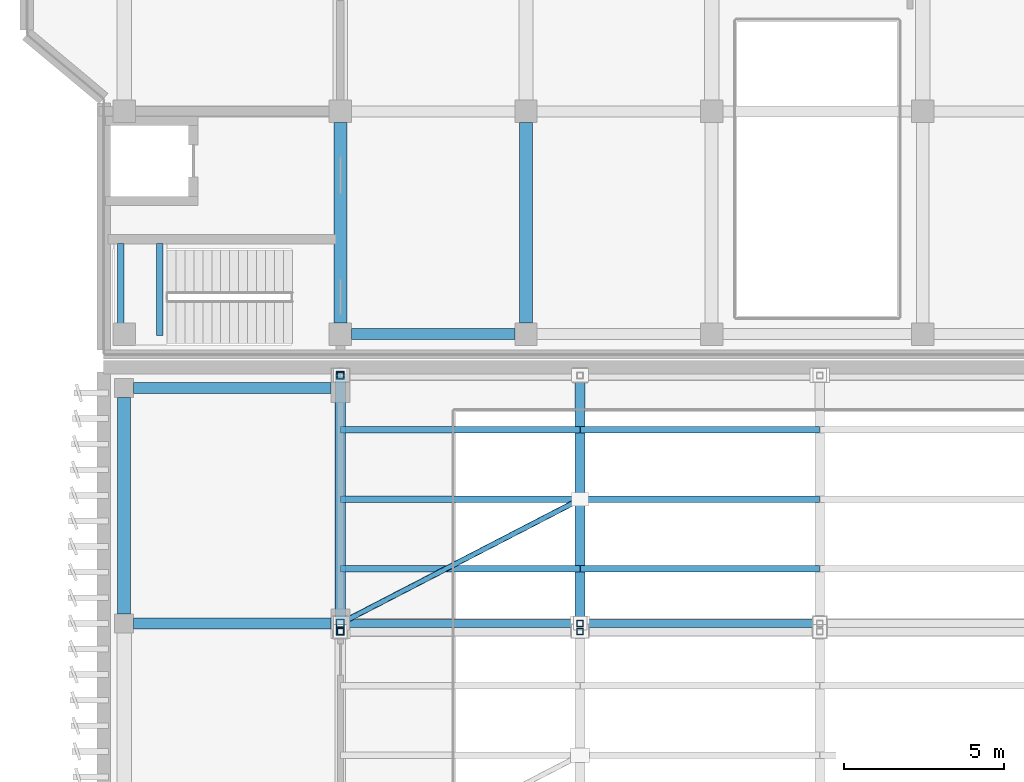
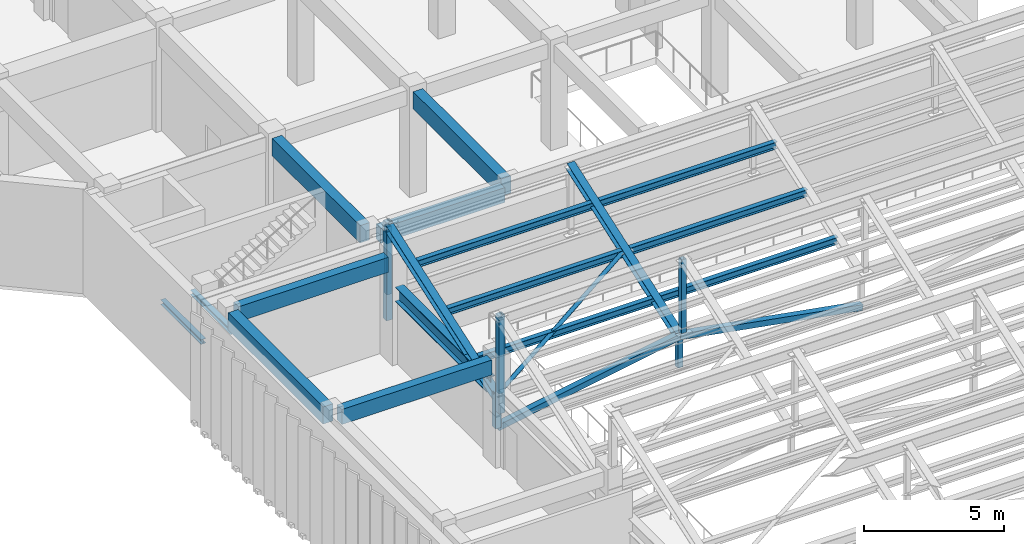
# One storey, part 12 of 76: 18 members, 9 beams.
"""IFC4 building model written with IfcOpenShell, lengths in metres."""

from ifc_helpers import new_model, si_unit, direction, frame, origin, origin_2d, place, context, subcontext, project, spatial, rectangle, hollow_rectangle, hollow_circle, i_section, extrude, material, material_profile, profile_set, type_object, element, save


model = new_model("IFC4")

# Units and contexts
model_context = context("Model", 3, precision=1e-05, world=origin(), true_north=direction((0.0, 1.0)))
body_context = subcontext(model_context, "Body", "Model", "MODEL_VIEW")
ifc_project = project(units=[si_unit("LENGTHUNIT", "METRE"), si_unit("AREAUNIT", "SQUARE_METRE"), si_unit("VOLUMEUNIT", "CUBIC_METRE"), si_unit("PLANEANGLEUNIT", "RADIAN"), si_unit("MASSUNIT", "GRAM", prefix="KILO")], contexts=[model_context])

# Site, building, storey
site_placement = place(None, origin())
site = spatial("IfcSite", under=ifc_project, at=site_placement, CompositionType="ELEMENT")
building_placement = place(site_placement, origin())
building = spatial("IfcBuilding", under=site, at=building_placement, Name="Cinchona Park Media Centre", CompositionType="ELEMENT")
storey_placement = place(building_placement, frame((0.0, 0.0, 15.60009765625)))
storey = spatial("IfcBuildingStorey", under=building, at=storey_placement, Name="L03", CompositionType="ELEMENT", Elevation=15.60009765625)

# Beams
ifc_material_1 = material(Name="Concrete C35/45", Category="concrete")
ifc_material_profile_1 = material_profile(ifc_material_1, rectangle(XDim=0.39990234375, YDim=0.75, at=origin_2d()), Name="RB 400X750")
ifc_profile_set_1 = profile_set([ifc_material_profile_1], Name="Concrete C35/45")
beam_type_1 = type_object("IfcBeamType", Name="BEAM-B01-RB400X750", PredefinedType="BEAM", material=ifc_profile_set_1)
beam_1_placement = place(storey_placement, frame((8.639892578125, 55.89990234375, 4.179931640625), z_axis=(0.0, 1.0, 0.0), x_axis=(-1.0, 0.0, 0.0)))
element("IfcBeam", 1, at=beam_1_placement, inside=storey, type_object=beam_type_1, Name="Girder B01 L03", PredefinedType="BEAM", context=body_context, shape_type="SweptSolid", body=[
    extrude(rectangle(XDim=0.39990234375, YDim=0.75, at=origin_2d()), origin(), (0.0, 0.0, 1.0), 6.760009765625),
])
for number, where, z_axis, x_axis, name in (
    (2, (15.39990234375, 64.989990234375, 4.1748046875), (0.0, 1.0, 0.0), (-1.0, 0.0, 0.0), "Girder B01 L03"),
    (3, (21.199951171875, 64.989990234375, 4.1748046875), (0.0, 1.0, 0.0), (-1.0, 0.0, 0.0), "Girder B01 L03"),
):
    element("IfcBeam", number, at=place(storey_placement, frame(where, z_axis=z_axis, x_axis=x_axis)), inside=storey, type_object=beam_type_1, Name=name, PredefinedType="BEAM", context=body_context, shape_type="SweptSolid", body=[
        extrude(rectangle(XDim=0.39990234375, YDim=0.75, at=origin_2d()), origin(), (0.0, 0.0, 1.0), 6.260009765625),
    ])
ifc_material_2 = material(Name="Concrete C35/45", Category="concrete")
ifc_material_profile_2 = material_profile(ifc_material_2, rectangle(XDim=0.35009765625, YDim=0.64990234375, at=origin_2d()), Name="RB 350X650")
ifc_profile_set_2 = profile_set([ifc_material_profile_2], Name="Concrete C35/45")
beam_type_2 = type_object("IfcBeamType", Name="BEAM-B04-RB350X650", PredefinedType="BEAM", material=ifc_profile_set_2)
for number, where, z_axis, x_axis, name in (
    (4, (8.93994140625, 55.60009765625, 4.22998046875), (1.0, 0.0, 0.0), (0.0, 1.0, 0.0), "Beam B04 L03"),
    (5, (8.93994140625, 62.9599609375, 4.22998046875), (1.0, 0.0, 0.0), (0.0, 1.0, 0.0), "Beam B04 L03"),
):
    element("IfcBeam", number, at=place(storey_placement, frame(where, z_axis=z_axis, x_axis=x_axis)), inside=storey, type_object=beam_type_2, Name=name, PredefinedType="BEAM", context=body_context, shape_type="SweptSolid", body=[
        extrude(rectangle(XDim=0.35009765625, YDim=0.64990234375, at=origin_2d()), origin(), (0.0, 0.0, 1.0), 6.16015625),
    ])
beam_2_placement = place(storey_placement, frame((15.75, 64.639892578125, 4.224853515625), z_axis=(1.0, 0.0, 0.0), x_axis=(0.0, 1.0, 0.0)))
element("IfcBeam", 6, at=beam_2_placement, inside=storey, type_object=beam_type_2, Name="Beam B04 L03", PredefinedType="BEAM", context=body_context, shape_type="SweptSolid", body=[
    extrude(rectangle(XDim=0.35009765625, YDim=0.64990234375, at=origin_2d()), origin(), (0.0, 0.0, 1.0), 5.10009765625),
])
ifc_material_3 = material(Name="Steel S355", Category="steel")
ifc_material_profile_3 = material_profile(ifc_material_3, i_section(OverallWidth=0.3291015625, OverallDepth=0.635009765625, WebThickness=0.017822265625, FlangeThickness=0.031005859375, at=origin_2d()), Name="W610X241")
ifc_profile_set_3 = profile_set([ifc_material_profile_3], Name="Steel S355")
beam_type_3 = type_object("IfcBeamType", Name="BEAM-B05-W610X241", PredefinedType="BEAM", material=ifc_profile_set_3)
beam_3_placement = place(storey_placement, frame((15.39990234375, 56.02001953125, 3.0498046875), z_axis=(0.0, 1.0, 0.0), x_axis=(-1.0, 0.0, 0.0)))
element("IfcBeam", 7, at=beam_3_placement, inside=storey, type_object=beam_type_3, Name="Sawtooth Valley Edge Girder B05 V1", PredefinedType="BEAM", context=body_context, shape_type="SweptSolid", body=[
    extrude(i_section(OverallWidth=0.3291015625, OverallDepth=0.635009765625, WebThickness=0.017822265625, FlangeThickness=0.031005859375, at=origin_2d()), origin(), (0.0, 0.0, 1.0), 6.52001953125),
])
ifc_material_4 = material(Name="Steel S355", Category="steel")
ifc_material_profile_4 = material_profile(ifc_material_4, i_section(OverallWidth=0.202880859375, OverallDepth=0.202880859375, WebThickness=0.007080078125, FlangeThickness=0.010986328125, at=origin_2d()), Name="W200X46")
ifc_profile_set_4 = profile_set([ifc_material_profile_4], Name="Steel S355")
beam_type_4 = type_object("IfcBeamType", Name="BEAM-B10-W200X46", PredefinedType="BEAM", material=ifc_profile_set_4)
for number, where, z_axis, x_axis, name in (
    (8, (8.5400390625, 67.47509765625, 2.093505859375), (0.0, -1.0, 0.0), (1.0, 0.0, 0.0), "Stair Landing Bearer Beam B10 ST3 L03"),
    (9, (9.760009765625, 67.47509765625, 2.093505859375), (0.0, -1.0, 0.0), (1.0, 0.0, 0.0), "Stair Landing Bearer Beam B10 ST3 L03"),
):
    element("IfcBeam", number, at=place(storey_placement, frame(where, z_axis=z_axis, x_axis=x_axis)), inside=storey, type_object=beam_type_4, Name=name, PredefinedType="BEAM", context=body_context, shape_type="SweptSolid", body=[
        extrude(i_section(OverallWidth=0.202880859375, OverallDepth=0.202880859375, WebThickness=0.007080078125, FlangeThickness=0.010986328125, at=origin_2d()), origin(), (0.0, 0.0, 1.0), 2.875),
    ])

# Members
ifc_material_5 = material(Name="Steel S355", Category="steel")
ifc_material_profile_5 = material_profile(ifc_material_5, hollow_circle(Radius=0.084228515625, WallThickness=0.010009765625, at=origin_2d()), Name="168.3X10CHS")
ifc_profile_set_5 = profile_set([ifc_material_profile_5], Name="Steel S355")
member_type_1 = type_object("IfcMemberType", Name="MEMBER-BR03-CHS168.3X10", PredefinedType="BRACE", material=ifc_profile_set_5)
member_1_placement = place(storey_placement, frame((15.39990234375, 55.60009765625, 2.7998046875), z_axis=(0.877007498883, 0.453726100012, 0.158083753343), x_axis=(-0.459504038406, 0.888175680082, 0.0)))
element("IfcMember", 10, at=member_1_placement, inside=storey, type_object=member_type_1, Name="Sawtooth Roof Wind Brace V1 Bay 7", PredefinedType="BRACE", context=body_context, shape_type="SweptSolid", body=[
    extrude(hollow_circle(Radius=0.084228515625, WallThickness=0.010009765625, at=origin_2d()), origin(), (0.0, 0.0, 1.0), 8.540283203125),
])
ifc_material_6 = material(Name="Steel S355", Category="steel")
ifc_material_profile_6 = material_profile(ifc_material_6, i_section(OverallWidth=0.202880859375, OverallDepth=0.302978515625, WebThickness=0.007568359375, FlangeThickness=0.01318359375, at=origin_2d()), Name="W310X60")
ifc_profile_set_6 = profile_set([ifc_material_profile_6], Name="Steel S355")
member_type_2 = type_object("IfcMemberType", Name="MEMBER-PR01-W310X60", PredefinedType="PURLIN", material=ifc_profile_set_6)
member_2_placement = place(storey_placement, frame((15.409912109375, 57.304931640625, 3.3125), z_axis=(1.0, 0.0, 0.0), x_axis=(0.0, 1.0, 0.0)))
element("IfcMember", 11, at=member_2_placement, inside=storey, type_object=member_type_2, Name="Sawtooth Roof Purlin PR01", PredefinedType="PURLIN", context=body_context, shape_type="SweptSolid", body=[
    extrude(i_section(OverallWidth=0.202880859375, OverallDepth=0.302978515625, WebThickness=0.007568359375, FlangeThickness=0.01318359375, at=origin_2d()), origin(), (0.0, 0.0, 1.0), 7.469970703125),
])
member_3_placement = place(storey_placement, frame((22.89990234375, 57.304931640625, 3.3125), z_axis=(1.0, 0.0, 0.0), x_axis=(0.0, 1.0, 0.0)))
element("IfcMember", 12, at=member_3_placement, inside=storey, type_object=member_type_2, Name="Sawtooth Roof Purlin PR01", PredefinedType="PURLIN", context=body_context, shape_type="SweptSolid", body=[
    extrude(i_section(OverallWidth=0.202880859375, OverallDepth=0.302978515625, WebThickness=0.007568359375, FlangeThickness=0.01318359375, at=origin_2d()), origin(), (0.0, 0.0, 1.0), 7.47021484375),
])
member_4_placement = place(storey_placement, frame((15.409912109375, 59.47509765625, 4.068359375), z_axis=(1.0, 0.0, 0.0), x_axis=(0.0, 1.0, 0.0)))
element("IfcMember", 13, at=member_4_placement, inside=storey, type_object=member_type_2, Name="Sawtooth Roof Purlin PR01", PredefinedType="PURLIN", context=body_context, shape_type="SweptSolid", body=[
    extrude(i_section(OverallWidth=0.202880859375, OverallDepth=0.302978515625, WebThickness=0.007568359375, FlangeThickness=0.01318359375, at=origin_2d()), origin(), (0.0, 0.0, 1.0), 7.469970703125),
])
member_5_placement = place(storey_placement, frame((22.89990234375, 59.47509765625, 4.068359375), z_axis=(1.0, 0.0, 0.0), x_axis=(0.0, 1.0, 0.0)))
element("IfcMember", 14, at=member_5_placement, inside=storey, type_object=member_type_2, Name="Sawtooth Roof Purlin PR01", PredefinedType="PURLIN", context=body_context, shape_type="SweptSolid", body=[
    extrude(i_section(OverallWidth=0.202880859375, OverallDepth=0.302978515625, WebThickness=0.007568359375, FlangeThickness=0.01318359375, at=origin_2d()), origin(), (0.0, 0.0, 1.0), 7.47021484375),
])
member_6_placement = place(storey_placement, frame((15.409912109375, 61.64501953125, 4.824462890625), z_axis=(1.0, 0.0, 0.0), x_axis=(0.0, 1.0, 0.0)))
element("IfcMember", 15, at=member_6_placement, inside=storey, type_object=member_type_2, Name="Sawtooth Roof Purlin PR01", PredefinedType="PURLIN", context=body_context, shape_type="SweptSolid", body=[
    extrude(i_section(OverallWidth=0.202880859375, OverallDepth=0.302978515625, WebThickness=0.007568359375, FlangeThickness=0.01318359375, at=origin_2d()), origin(), (0.0, 0.0, 1.0), 7.469970703125),
])
member_7_placement = place(storey_placement, frame((22.89990234375, 61.64501953125, 4.824462890625), z_axis=(1.0, 0.0, 0.0), x_axis=(0.0, 1.0, 0.0)))
element("IfcMember", 16, at=member_7_placement, inside=storey, type_object=member_type_2, Name="Sawtooth Roof Purlin PR01", PredefinedType="PURLIN", context=body_context, shape_type="SweptSolid", body=[
    extrude(i_section(OverallWidth=0.202880859375, OverallDepth=0.302978515625, WebThickness=0.007568359375, FlangeThickness=0.01318359375, at=origin_2d()), origin(), (0.0, 0.0, 1.0), 7.47021484375),
])
ifc_material_7 = material(Name="Steel S355", Category="steel")
ifc_material_profile_7 = material_profile(ifc_material_7, hollow_rectangle(XDim=0.199951171875, YDim=0.199951171875, WallThickness=0.012451171875, at=origin_2d()), Name="200X200X12.5SHS")
ifc_profile_set_7 = profile_set([ifc_material_profile_7], Name="Steel S355")
member_type_3 = type_object("IfcMemberType", Name="MEMBER-TS01-SHS200X200X12.5", PredefinedType="STRUT", material=ifc_profile_set_7)
for number, where, z_axis, x_axis, name in (
    (17, (15.39990234375, 55.35009765625, 3.099853515625), (0.0, 0.0, 1.0), (1.0, 0.0, 0.0), "ROOF TRUSS Monitor Post V1 Bay 6"),
    (18, (22.889892578125, 55.35009765625, 3.099853515625), (0.0, 0.0, 1.0), (1.0, 0.0, 0.0), "ROOF TRUSS Monitor Post V1 Bay 6"),
):
    element("IfcMember", number, at=place(storey_placement, frame(where, z_axis=z_axis, x_axis=x_axis)), inside=storey, type_object=member_type_3, Name=name, PredefinedType="STRUT", context=body_context, shape_type="SweptSolid", body=[
        extrude(hollow_rectangle(XDim=0.199951171875, YDim=0.199951171875, WallThickness=0.012451171875, at=origin_2d()), origin(), (0.0, 0.0, 1.0), 3.199951171875),
    ])
member_8_placement = place(storey_placement, frame((22.889892578125, 55.60009765625, 1.449951171875), z_axis=(0.0, 0.0, 1.0), x_axis=(1.0, 0.0, 0.0)))
element("IfcMember", 19, at=member_8_placement, inside=storey, type_object=member_type_3, Name="ROOF TRUSS Vertical Strut TN1", PredefinedType="STRUT", context=body_context, shape_type="SweptSolid", body=[
    extrude(hollow_rectangle(XDim=0.199951171875, YDim=0.199951171875, WallThickness=0.012451171875, at=origin_2d()), origin(), (0.0, 0.0, 1.0), 1.349853515625),
])
member_9_placement = place(storey_placement, frame((15.39990234375, 63.35009765625, 2.5498046875), z_axis=(0.0, 0.0, 1.0), x_axis=(1.0, 0.0, 0.0)))
element("IfcMember", 20, at=member_9_placement, inside=storey, type_object=member_type_3, Name="ROOF TRUSS Monitor Post V1 Bay 7", PredefinedType="STRUT", context=body_context, shape_type="SweptSolid", body=[
    extrude(hollow_rectangle(XDim=0.199951171875, YDim=0.199951171875, WallThickness=0.012451171875, at=origin_2d()), origin(), (0.0, 0.0, 1.0), 2.9501953125),
])
ifc_material_8 = material(Name="Steel S355", Category="steel")
ifc_material_profile_8 = material_profile(ifc_material_8, hollow_rectangle(XDim=0.25, YDim=0.25, WallThickness=0.01611328125, at=origin_2d()), Name="250X250X16SHS")
ifc_profile_set_8 = profile_set([ifc_material_profile_8], Name="Steel S355")
member_type_4 = type_object("IfcMemberType", Name="MEMBER-TS02-SHS250X250X16", PredefinedType="STRUT", material=ifc_profile_set_8)
member_10_placement = place(storey_placement, frame((15.39990234375, 55.35009765625, 2.25), z_axis=(0.0, 0.0, 1.0), x_axis=(1.0, 0.0, 0.0)))
element("IfcMember", 21, at=member_10_placement, inside=storey, type_object=member_type_4, Name="Sawtooth Bearing Post TS02 V1 B6", PredefinedType="STRUT", context=body_context, shape_type="SweptSolid", body=[
    extrude(hollow_rectangle(XDim=0.25, YDim=0.25, WallThickness=0.01611328125, at=origin_2d()), origin(), (0.0, 0.0, 1.0), 4.239990234375),
])
member_11_placement = place(storey_placement, frame((15.39990234375, 55.60009765625, 1.449951171875), z_axis=(0.0, 0.0, 1.0), x_axis=(1.0, 0.0, 0.0)))
element("IfcMember", 22, at=member_11_placement, inside=storey, type_object=member_type_4, Name="Sawtooth Bearing Post TS02 V1 B7", PredefinedType="STRUT", context=body_context, shape_type="SweptSolid", body=[
    extrude(hollow_rectangle(XDim=0.25, YDim=0.25, WallThickness=0.01611328125, at=origin_2d()), origin(), (0.0, 0.0, 1.0), 1.5400390625),
])
member_12_placement = place(storey_placement, frame((15.39990234375, 63.35009765625, 1.449951171875), z_axis=(0.0, 0.0, 1.0), x_axis=(1.0, 0.0, 0.0)))
element("IfcMember", 23, at=member_12_placement, inside=storey, type_object=member_type_4, Name="Sawtooth Bearing Post TS02 V1 B7", PredefinedType="STRUT", context=body_context, shape_type="SweptSolid", body=[
    extrude(hollow_rectangle(XDim=0.25, YDim=0.25, WallThickness=0.01611328125, at=origin_2d()), origin(), (0.0, 0.0, 1.0), 4.239990234375),
])
for number, where, z_axis, x_axis, name in (
    (24, (15.39990234375, 55.60009765625, 1.449951171875), (0.984145381083, 0.0, 0.177363662832), (0.0, 1.0, 0.0), "ROOF TRUSS Web Diagonal TN1"),
    (25, (22.889892578125, 55.60009765625, 2.7998046875), (0.984145381083, 0.0, -0.177363662832), (0.0, 1.0, 0.0), "ROOF TRUSS Web Diagonal TN2"),
):
    element("IfcMember", number, at=place(storey_placement, frame(where, z_axis=z_axis, x_axis=x_axis)), inside=storey, type_object=member_type_4, Name=name, PredefinedType="STRUT", context=body_context, shape_type="SweptSolid", body=[
        extrude(hollow_rectangle(XDim=0.25, YDim=0.25, WallThickness=0.01611328125, at=origin_2d()), origin(), (0.0, 0.0, 1.0), 7.610595703125),
    ])
ifc_material_9 = material(Name="Steel S355", Category="steel")
ifc_material_profile_9 = material_profile(ifc_material_9, i_section(OverallWidth=0.304931640625, OverallDepth=0.30810546875, WebThickness=0.010009765625, FlangeThickness=0.015380859375, at=origin_2d()), Name="W310X97")
ifc_profile_set_9 = profile_set([ifc_material_profile_9], Name="Steel S355")
member_type_5 = type_object("IfcMemberType", Name="MEMBER-TS06-W310X97", PredefinedType="STRUT", material=ifc_profile_set_9)
for number, where, z_axis, x_axis, name in (
    (26, (15.39990234375, 55.60009765625, 2.7998046875), (0.0, 0.944324900954, 0.329014409165), (-1.0, 0.0, 0.0), "ROOF TRUSS Sawtooth Rafter V1 Bay 7"),
    (27, (22.889892578125, 55.60009765625, 2.7998046875), (0.0, 0.944324900954, 0.329014409165), (-1.0, 0.0, 0.0), "ROOF TRUSS Sawtooth Rafter V1 Bay 7"),
):
    element("IfcMember", number, at=place(storey_placement, frame(where, z_axis=z_axis, x_axis=x_axis)), inside=storey, type_object=member_type_5, Name=name, PredefinedType="STRUT", context=body_context, shape_type="SweptSolid", body=[
        extrude(i_section(OverallWidth=0.304931640625, OverallDepth=0.30810546875, WebThickness=0.010009765625, FlangeThickness=0.015380859375, at=origin_2d()), origin(), (0.0, 0.0, 1.0), 8.20703125),
    ])

save(model, "model.ifc")
